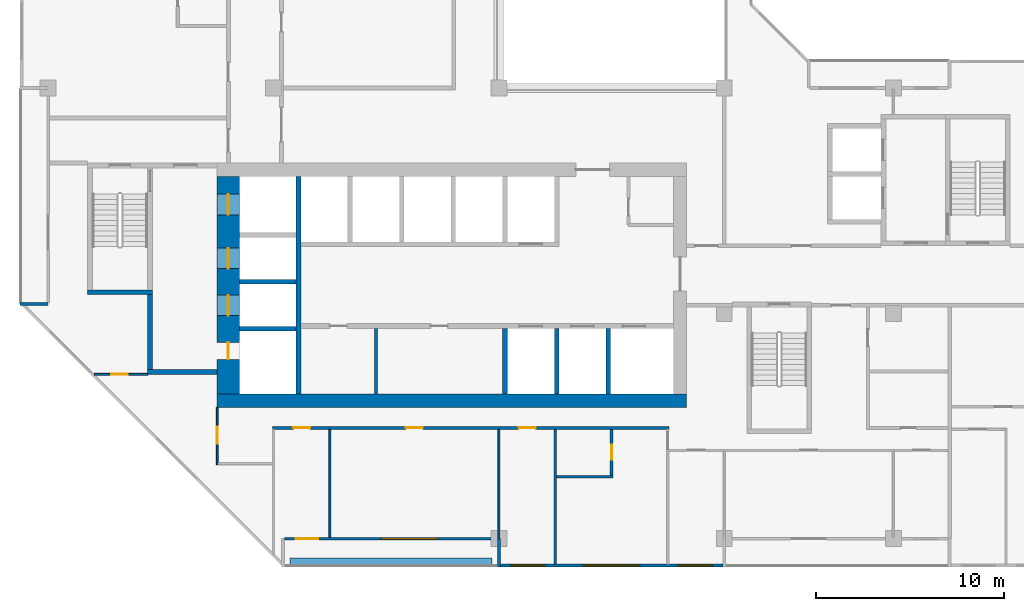
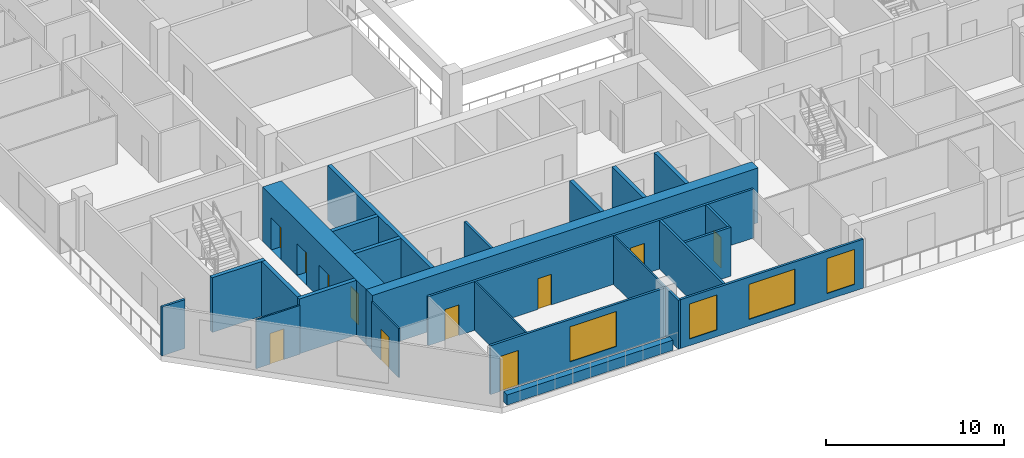
# One storey, part 4 of 15: 25 walls, 11 doors, 4 windows, 15 openings.
"""IFC4 building model written with IfcOpenShell, lengths in metres."""

from ifc_helpers import new_model, si_unit, direction, frame, frame_2d, origin, place, context, subcontext, project, spatial, rectangle, extrude, material, layer, layer_set, type_object, element, fill, save


model = new_model("IFC4")

# Units and contexts
model_context = context("Model", 3, precision=1e-05, world=origin(), true_north=direction((0.0, 1.0)))
body_context = subcontext(model_context, "Body", "Model", "MODEL_VIEW")
ifc_project = project(units=[si_unit("LENGTHUNIT", "METRE"), si_unit("AREAUNIT", "SQUARE_METRE"), si_unit("VOLUMEUNIT", "CUBIC_METRE"), si_unit("PLANEANGLEUNIT", "RADIAN"), si_unit("MASSUNIT", "GRAM", prefix="KILO")], contexts=[model_context])

# Site, building, storey
site_placement = place(None, origin())
site = spatial("IfcSite", under=ifc_project, at=site_placement, CompositionType="ELEMENT")
building_placement = place(site_placement, origin())
building = spatial("IfcBuilding", under=site, at=building_placement, Name="Chenar Terraces", CompositionType="ELEMENT")
storey_placement = place(building_placement, frame((0.0, 0.0, 215.39990234375)))
storey = spatial("IfcBuildingStorey", under=building, at=storey_placement, Name="L50", CompositionType="ELEMENT", Elevation=215.39990234375)

# Wall
ifc_material_1 = material(Name="Gypsum board on steel studs", Category="steel")
ifc_layer_1 = layer(ifc_material_1, 0.14990234375)
ifc_layer_set_1 = layer_set([ifc_layer_1], Name="Gypsum board on steel studs")
wall_type_1 = type_object("IfcWallType", Name="Core partition 150 gypsum board", PredefinedType="PARTITIONING", material=ifc_layer_set_1)
wall_1_placement = place(storey_placement, frame((17.449951171875, 7.699951171875, 0.0), z_axis=(0.0, 0.0, 1.0), x_axis=(0.0, 1.0, 0.0)))
element("IfcWall", 1, at=wall_1_placement, inside=storey, type_object=wall_type_1, Name="Core partition CP1 freed bay wall", PredefinedType="PARTITIONING", context=body_context, shape_type="SweptSolid", body=[
    extrude(rectangle(XDim=3.5, YDim=0.14990234375, at=frame_2d((1.75, 0.0))), origin(), (0.0, 0.0, 1.0), 3.35009765625),
])

# Wall, openings, doors
ifc_material_2 = material(Name="Concrete C60/75", Category="concrete")
ifc_layer_2 = layer(ifc_material_2, 1.199951171875)
ifc_layer_set_2 = layer_set([ifc_layer_2], Name="Concrete C60/75")
wall_type_2 = type_object("IfcWallType", Name="Core wall 1200 Concrete C60/75", PredefinedType="SHEAR", material=ifc_layer_set_2)
wall_2_placement = place(storey_placement, frame((9.60009765625, 7.699951171875, 0.0), z_axis=(0.0, 0.0, 1.0), x_axis=(0.0, 1.0, 0.0)))
wall_2 = element("IfcWall", 2, at=wall_2_placement, inside=storey, type_object=wall_type_2, Name="Core wall W L50", PredefinedType="SHEAR", context=body_context, shape_type="SweptSolid", body=[
    extrude(rectangle(XDim=11.60009765625, YDim=1.199951171875, at=frame_2d((5.800048828125, 0.0))), origin(), (0.0, 0.0, 1.0), 3.75),
])
opening_1_placement = place(wall_2_placement, frame((4.175048828125, 0.0, 0.0)))
opening_1 = element("IfcOpeningElement", 3, at=opening_1_placement, cuts=wall_2, Name="Opening DL50-LD5", PredefinedType="OPENING", context=body_context, shape_type="SweptSolid", body=[
    extrude(rectangle(XDim=1.10009765625, YDim=2.199951171875, at=frame_2d((0.550048828125, 1.10009765625))), frame((0.0, 0.60986328125, 0.0), z_axis=(0.0, -1.0, 0.0), x_axis=(1.0, 0.0, 0.0)), (0.0, 0.0, 1.0), 1.219970703125),
])
opening_2_placement = place(wall_2_placement, frame((6.675048828125, 0.0, 0.0)))
opening_2 = element("IfcOpeningElement", 4, at=opening_2_placement, cuts=wall_2, Name="Opening DL50-LD6", PredefinedType="OPENING", context=body_context, shape_type="SweptSolid", body=[
    extrude(rectangle(XDim=1.10009765625, YDim=2.199951171875, at=frame_2d((0.550048828125, 1.10009765625))), frame((0.0, 0.60986328125, 0.0), z_axis=(0.0, -1.0, 0.0), x_axis=(1.0, 0.0, 0.0)), (0.0, 0.0, 1.0), 1.219970703125),
])
opening_3_placement = place(wall_2_placement, frame((9.550048828125, 0.0, 0.0)))
opening_3 = element("IfcOpeningElement", 5, at=opening_3_placement, cuts=wall_2, Name="Opening DL50-LD7", PredefinedType="OPENING", context=body_context, shape_type="SweptSolid", body=[
    extrude(rectangle(XDim=1.10009765625, YDim=2.199951171875, at=frame_2d((0.550048828125, 1.10009765625))), frame((0.0, 0.60986328125, 0.0), z_axis=(0.0, -1.0, 0.0), x_axis=(1.0, 0.0, 0.0)), (0.0, 0.0, 1.0), 1.219970703125),
])
opening_4_placement = place(wall_2_placement, frame((1.85009765625, 0.0, 0.0)))
opening_4 = element("IfcOpeningElement", 6, at=opening_4_placement, cuts=wall_2, Name="Opening DL50-C4", PredefinedType="OPENING", context=body_context, shape_type="SweptSolid", body=[
    extrude(rectangle(XDim=0.89990234375, YDim=2.10009765625, at=frame_2d((0.449951171875, 1.050048828125))), frame((0.0, 0.60986328125, 0.0), z_axis=(0.0, -1.0, 0.0), x_axis=(1.0, 0.0, 0.0)), (0.0, 0.0, 1.0), 1.219970703125),
])
ifc_material_3 = material(Name="Stainless steel", Category="steel")
door_type_1 = type_object("IfcDoorType", Name="Lift landing door 1100 x 2200 sliding", OperationType="DOUBLE_DOOR_SLIDING", PredefinedType="DOOR", material=ifc_material_3)
door_1_placement = place(opening_1_placement, origin())
door_1 = element("IfcDoor", 7, at=door_1_placement, inside=storey, type_object=door_type_1, Name="Landing door S1", OperationType="DOUBLE_DOOR_SLIDING", OverallHeight=2.199951171875, OverallWidth=1.10009765625, PredefinedType="DOOR", context=body_context, shape_type="SweptSolid", body=[
    extrude(rectangle(XDim=1.10009765625, YDim=2.199951171875, at=frame_2d((0.550048828125, 1.10009765625))), frame((0.0, 0.02490234375, 0.0), z_axis=(0.0, -1.0, 0.0), x_axis=(1.0, 0.0, 0.0)), (0.0, 0.0, 1.0), 0.050048828125),
])
fill(opening_1, door_1)
door_2_placement = place(opening_2_placement, origin())
door_2 = element("IfcDoor", 8, at=door_2_placement, inside=storey, type_object=door_type_1, Name="Landing door F1", OperationType="DOUBLE_DOOR_SLIDING", OverallHeight=2.199951171875, OverallWidth=1.10009765625, PredefinedType="DOOR", context=body_context, shape_type="SweptSolid", body=[
    extrude(rectangle(XDim=1.10009765625, YDim=2.199951171875, at=frame_2d((0.550048828125, 1.10009765625))), frame((0.0, 0.02490234375, 0.0), z_axis=(0.0, -1.0, 0.0), x_axis=(1.0, 0.0, 0.0)), (0.0, 0.0, 1.0), 0.050048828125),
])
fill(opening_2, door_2)
door_3_placement = place(opening_3_placement, origin())
door_3 = element("IfcDoor", 9, at=door_3_placement, inside=storey, type_object=door_type_1, Name="Landing door F2", OperationType="DOUBLE_DOOR_SLIDING", OverallHeight=2.199951171875, OverallWidth=1.10009765625, PredefinedType="DOOR", context=body_context, shape_type="SweptSolid", body=[
    extrude(rectangle(XDim=1.10009765625, YDim=2.199951171875, at=frame_2d((0.550048828125, 1.10009765625))), frame((0.0, 0.02490234375, 0.0), z_axis=(0.0, -1.0, 0.0), x_axis=(1.0, 0.0, 0.0)), (0.0, 0.0, 1.0), 0.050048828125),
])
fill(opening_3, door_3)
ifc_material_4 = material(Name="Steel-framed fire-resisting door leaf", Category="steel")
door_type_2 = type_object("IfcDoorType", Name="Riser fire door FD60 900 x 2100", OperationType="SINGLE_SWING_LEFT", PredefinedType="DOOR", material=ifc_material_4)
door_4_placement = place(opening_4_placement, frame((0.89990234375, 0.0, 0.0), z_axis=(0.0, 0.0, 1.0), x_axis=(-1.0, 0.0, 0.0)))
door_4 = element("IfcDoor", 10, at=door_4_placement, inside=storey, type_object=door_type_2, Name="Riser door DL50-C4", OperationType="SINGLE_SWING_LEFT", OverallHeight=2.10009765625, OverallWidth=0.89990234375, PredefinedType="DOOR", context=body_context, shape_type="SweptSolid", body=[
    extrude(rectangle(XDim=0.89990234375, YDim=2.10009765625, at=frame_2d((0.449951171875, 1.050048828125))), frame((0.0, 0.02490234375, 0.0), z_axis=(0.0, -1.0, 0.0), x_axis=(1.0, 0.0, 0.0)), (0.0, 0.0, 1.0), 0.050048828125),
])
fill(opening_4, door_4)

# Walls
ifc_material_5 = material(Name="Concrete C60/75", Category="concrete")
ifc_layer_3 = layer(ifc_material_5, 0.25)
ifc_layer_set_3 = layer_set([ifc_layer_3], Name="Concrete C60/75")
wall_type_3 = type_object("IfcWallType", Name="Core wall 250 Concrete C60/75", PredefinedType="SHEAR", material=ifc_layer_set_3)
wall_3_placement = place(storey_placement, frame((13.324951171875, 7.699951171875, 0.0), z_axis=(0.0, 0.0, 1.0), x_axis=(0.0, 1.0, 0.0)))
element("IfcWall", 11, at=wall_3_placement, inside=storey, type_object=wall_type_3, Name="Core wall WI L50", PredefinedType="SHEAR", context=body_context, shape_type="SweptSolid", body=[
    extrude(rectangle(XDim=11.60009765625, YDim=0.25, at=frame_2d((5.800048828125, 0.0))), origin(), (0.0, 0.0, 1.0), 3.75),
])
for number, where, z_axis, x_axis, name in (
    (12, (10.199951171875, 11.175048828125, 0.0), (0.0, 0.0, 1.0), (1.0, 0.0, 0.0), "Core wall HW0 L50"),
    (13, (10.199951171875, 13.675048828125, 0.0), (0.0, 0.0, 1.0), (1.0, 0.0, 0.0), "Core wall HW1 L50"),
):
    element("IfcWall", number, at=place(storey_placement, frame(where, z_axis=z_axis, x_axis=x_axis)), inside=storey, type_object=wall_type_3, Name=name, PredefinedType="SHEAR", context=body_context, shape_type="SweptSolid", body=[
        extrude(rectangle(XDim=3.0, YDim=0.25, at=frame_2d((1.5, 0.0))), origin(), (0.0, 0.0, 1.0), 3.75),
    ])
for number, where, z_axis, x_axis, name in (
    (14, (24.324951171875, 7.699951171875, 0.0), (0.0, 0.0, 1.0), (0.0, 1.0, 0.0), "Core wall SS3 L50"),
    (15, (27.074951171875, 7.699951171875, 0.0), (0.0, 0.0, 1.0), (0.0, 1.0, 0.0), "Core wall SS4 L50"),
    (16, (29.824951171875, 7.699951171875, 0.0), (0.0, 0.0, 1.0), (0.0, 1.0, 0.0), "Core wall SS5 L50"),
):
    element("IfcWall", number, at=place(storey_placement, frame(where, z_axis=z_axis, x_axis=x_axis)), inside=storey, type_object=wall_type_3, Name=name, PredefinedType="SHEAR", context=body_context, shape_type="SweptSolid", body=[
        extrude(rectangle(XDim=3.5, YDim=0.25, at=frame_2d((1.75, 0.0))), origin(), (0.0, 0.0, 1.0), 3.75),
    ])
wall_4_placement = place(storey_placement, frame((2.10009765625, 13.125, 0.0), z_axis=(0.0, 0.0, 1.0), x_axis=(1.0, 0.0, 0.0)))
element("IfcWall", 17, at=wall_4_placement, inside=storey, type_object=wall_type_3, Name="Core wall ST1_S L50", PredefinedType="SHEAR", context=body_context, shape_type="SweptSolid", body=[
    extrude(rectangle(XDim=3.449951171875, YDim=0.25, at=frame_2d((1.72509765625, 0.0))), origin(), (0.0, 0.0, 1.0), 3.75),
])
wall_5_placement = place(storey_placement, frame((5.300048828125, 8.875, 0.0), z_axis=(0.0, 0.0, 1.0), x_axis=(1.0, 0.0, 0.0)))
element("IfcWall", 18, at=wall_5_placement, inside=storey, type_object=wall_type_3, Name="Core wall FFL_S L50", PredefinedType="SHEAR", context=body_context, shape_type="SweptSolid", body=[
    extrude(rectangle(XDim=3.699951171875, YDim=0.25, at=frame_2d((1.85009765625, 0.0))), origin(), (0.0, 0.0, 1.0), 3.75),
])
wall_6_placement = place(storey_placement, frame((5.425048828125, 9.0, 0.0), z_axis=(0.0, 0.0, 1.0), x_axis=(0.0, 1.0, 0.0)))
element("IfcWall", 19, at=wall_6_placement, inside=storey, type_object=wall_type_3, Name="Core wall FFL_W L50", PredefinedType="SHEAR", context=body_context, shape_type="SweptSolid", body=[
    extrude(rectangle(XDim=4.0, YDim=0.25, at=frame_2d((2.0, 0.0))), origin(), (0.0, 0.0, 1.0), 3.75),
])
ifc_material_6 = material(Name="Concrete C60/75", Category="concrete")
ifc_layer_4 = layer(ifc_material_6, 0.699951171875)
ifc_layer_set_4 = layer_set([ifc_layer_4], Name="Concrete C60/75")
wall_type_4 = type_object("IfcWallType", Name="Core wall 700 Concrete C60/75", PredefinedType="SHEAR", material=ifc_layer_set_4)
wall_7_placement = place(storey_placement, frame((9.0, 7.35009765625, 0.0), z_axis=(0.0, 0.0, 1.0), x_axis=(1.0, 0.0, 0.0)))
element("IfcWall", 20, at=wall_7_placement, inside=storey, type_object=wall_type_4, Name="Core wall S L50", PredefinedType="SHEAR", context=body_context, shape_type="SweptSolid", body=[
    extrude(rectangle(XDim=25.0, YDim=0.699951171875, at=frame_2d((12.5, 0.0))), origin(), (0.0, 0.0, 1.0), 3.75),
])

# Wall, openings, windows
ifc_material_7 = material(Name="Aluminium framed glazing", Category="aluminium")
ifc_layer_5 = layer(ifc_material_7, 0.14990234375)
ifc_layer_set_5 = layer_set([ifc_layer_5], Name="Aluminium framed glazing")
wall_type_5 = type_object("IfcWallType", Name="Glazed flush facade wall 150", PredefinedType="SOLIDWALL", material=ifc_layer_set_5)
wall_8_placement = place(storey_placement, frame((24.074951171875, -1.425048828125, 0.0), z_axis=(0.0, 0.0, 1.0), x_axis=(1.0, 0.0, 0.0)))
wall_8 = element("IfcWall", 21, at=wall_8_placement, inside=storey, type_object=wall_type_5, Name="Glazed flush facade wall", PredefinedType="SOLIDWALL", context=body_context, shape_type="SweptSolid", body=[
    extrude(rectangle(XDim=11.85009765625, YDim=0.14990234375, at=frame_2d((5.925048828125, 0.0))), origin(), (0.0, 0.0, 1.0), 3.35009765625),
])
opening_5_placement = place(wall_8_placement, frame((0.5625, 0.0, 0.449951171875)))
opening_5 = element("IfcOpeningElement", 22, at=opening_5_placement, cuts=wall_8, Name="Opening W180x240", PredefinedType="OPENING", context=body_context, shape_type="SweptSolid", body=[
    extrude(rectangle(XDim=1.800048828125, YDim=2.39990234375, at=frame_2d((0.89990234375, 1.199951171875))), frame((0.0, 0.0849609375, 0.0), z_axis=(0.0, -1.0, 0.0), x_axis=(1.0, 0.0, 0.0)), (0.0, 0.0, 1.0), 0.169921875),
])
opening_6_placement = place(wall_8_placement, frame((4.425048828125, 0.0, 0.449951171875)))
opening_6 = element("IfcOpeningElement", 23, at=opening_6_placement, cuts=wall_8, Name="Opening W300x240", PredefinedType="OPENING", context=body_context, shape_type="SweptSolid", body=[
    extrude(rectangle(XDim=3.0, YDim=2.39990234375, at=frame_2d((1.5, 1.199951171875))), frame((0.0, 0.0849609375, 0.0), z_axis=(0.0, -1.0, 0.0), x_axis=(1.0, 0.0, 0.0)), (0.0, 0.0, 1.0), 0.169921875),
])
opening_7_placement = place(wall_8_placement, frame((9.487548828125, 0.0, 0.449951171875)))
opening_7 = element("IfcOpeningElement", 24, at=opening_7_placement, cuts=wall_8, Name="Opening W180x240", PredefinedType="OPENING", context=body_context, shape_type="SweptSolid", body=[
    extrude(rectangle(XDim=1.800048828125, YDim=2.39990234375, at=frame_2d((0.89990234375, 1.199951171875))), frame((0.0, 0.0849609375, 0.0), z_axis=(0.0, -1.0, 0.0), x_axis=(1.0, 0.0, 0.0)), (0.0, 0.0, 1.0), 0.169921875),
])
ifc_material_8 = material(Name="Low emissivity double glazing, aluminium frame", Category="aluminium")
window_type_1 = type_object("IfcWindowType", Name="Fixed light 1800 x 2400", PartitioningType="SINGLE_PANEL", PredefinedType="WINDOW", material=ifc_material_8)
window_1_placement = place(opening_5_placement, origin())
window_1 = element("IfcWindow", 25, at=window_1_placement, inside=storey, type_object=window_type_1, Name="Window", OverallHeight=2.39990234375, OverallWidth=1.800048828125, PartitioningType="SINGLE_PANEL", PredefinedType="WINDOW", context=body_context, shape_type="SweptSolid", body=[
    extrude(rectangle(XDim=1.800048828125, YDim=2.39990234375, at=frame_2d((0.89990234375, 1.199951171875))), frame((0.0, 0.030029296875, 0.0), z_axis=(0.0, -1.0, 0.0), x_axis=(1.0, 0.0, 0.0)), (0.0, 0.0, 1.0), 0.06005859375),
])
fill(opening_5, window_1)
window_2_placement = place(opening_7_placement, origin())
window_2 = element("IfcWindow", 26, at=window_2_placement, inside=storey, type_object=window_type_1, Name="Window", OverallHeight=2.39990234375, OverallWidth=1.800048828125, PartitioningType="SINGLE_PANEL", PredefinedType="WINDOW", context=body_context, shape_type="SweptSolid", body=[
    extrude(rectangle(XDim=1.800048828125, YDim=2.39990234375, at=frame_2d((0.89990234375, 1.199951171875))), frame((0.0, 0.030029296875, 0.0), z_axis=(0.0, -1.0, 0.0), x_axis=(1.0, 0.0, 0.0)), (0.0, 0.0, 1.0), 0.06005859375),
])
fill(opening_7, window_2)
ifc_material_9 = material(Name="Low emissivity double glazing, aluminium frame", Category="aluminium")
window_type_2 = type_object("IfcWindowType", Name="Fixed light 3000 x 2400", PartitioningType="SINGLE_PANEL", PredefinedType="WINDOW", material=ifc_material_9)
window_3_placement = place(opening_6_placement, origin())
window_3 = element("IfcWindow", 27, at=window_3_placement, inside=storey, type_object=window_type_2, Name="Window", OverallHeight=2.39990234375, OverallWidth=3.0, PartitioningType="SINGLE_PANEL", PredefinedType="WINDOW", context=body_context, shape_type="SweptSolid", body=[
    extrude(rectangle(XDim=3.0, YDim=2.39990234375, at=frame_2d((1.5, 1.199951171875))), frame((0.0, 0.030029296875, 0.0), z_axis=(0.0, -1.0, 0.0), x_axis=(1.0, 0.0, 0.0)), (0.0, 0.0, 1.0), 0.06005859375),
])
fill(opening_6, window_3)

# Wall, openings, window, door
ifc_material_10 = material(Name="Aluminium framed glazing", Category="aluminium")
ifc_layer_6 = layer(ifc_material_10, 0.14990234375)
ifc_layer_set_6 = layer_set([ifc_layer_6], Name="Aluminium framed glazing")
wall_type_6 = type_object("IfcWallType", Name="Glazed loggia back wall 150", PredefinedType="SOLIDWALL", material=ifc_layer_set_6)
wall_9_placement = place(storey_placement, frame((12.574951171875, 0.0, 0.0), z_axis=(0.0, 0.0, 1.0), x_axis=(1.0, 0.0, 0.0)))
wall_9 = element("IfcWall", 28, at=wall_9_placement, inside=storey, type_object=wall_type_6, Name="Glazed loggia back wall", PredefinedType="SOLIDWALL", context=body_context, shape_type="SweptSolid", body=[
    extrude(rectangle(XDim=11.35009765625, YDim=0.14990234375, at=frame_2d((5.675048828125, 0.0))), origin(), (0.0, 0.0, 1.0), 3.35009765625),
])
opening_8_placement = place(wall_9_placement, frame((0.612548828125, 0.0, 0.0)))
opening_8 = element("IfcOpeningElement", 29, at=opening_8_placement, cuts=wall_9, Name="Opening DL50-G5", PredefinedType="OPENING", context=body_context, shape_type="SweptSolid", body=[
    extrude(rectangle(XDim=1.199951171875, YDim=2.39990234375, at=frame_2d((0.60009765625, 1.199951171875))), frame((0.0, 0.0849609375, 0.0), z_axis=(0.0, -1.0, 0.0), x_axis=(1.0, 0.0, 0.0)), (0.0, 0.0, 1.0), 0.169921875),
])
opening_9_placement = place(wall_9_placement, frame((5.16259765625, 0.0, 0.449951171875)))
opening_9 = element("IfcOpeningElement", 30, at=opening_9_placement, cuts=wall_9, Name="Opening W300x240", PredefinedType="OPENING", context=body_context, shape_type="SweptSolid", body=[
    extrude(rectangle(XDim=3.0, YDim=2.39990234375, at=frame_2d((1.5, 1.199951171875))), frame((0.0, 0.0849609375, 0.0), z_axis=(0.0, -1.0, 0.0), x_axis=(1.0, 0.0, 0.0)), (0.0, 0.0, 1.0), 0.169921875),
])
window_4_placement = place(opening_9_placement, origin())
window_4 = element("IfcWindow", 31, at=window_4_placement, inside=storey, type_object=window_type_2, Name="Window", OverallHeight=2.39990234375, OverallWidth=3.0, PartitioningType="SINGLE_PANEL", PredefinedType="WINDOW", context=body_context, shape_type="SweptSolid", body=[
    extrude(rectangle(XDim=3.0, YDim=2.39990234375, at=frame_2d((1.5, 1.199951171875))), frame((0.0, 0.030029296875, 0.0), z_axis=(0.0, -1.0, 0.0), x_axis=(1.0, 0.0, 0.0)), (0.0, 0.0, 1.0), 0.06005859375),
])
fill(opening_9, window_4)
ifc_material_11 = material(Name="Low emissivity double glazing, aluminium frame", Category="aluminium")
door_type_3 = type_object("IfcDoorType", Name="Loggia glazed double door 1200 x 2400", OperationType="DOUBLE_DOOR_SINGLE_SWING", PredefinedType="DOOR", material=ifc_material_11)
door_5_placement = place(opening_8_placement, frame((1.199951171875, 0.0, 0.0), z_axis=(0.0, 0.0, 1.0), x_axis=(-1.0, 0.0, 0.0)))
door_5 = element("IfcDoor", 32, at=door_5_placement, inside=storey, type_object=door_type_3, Name="Loggia glazed door", OperationType="DOUBLE_DOOR_SINGLE_SWING", OverallHeight=2.39990234375, OverallWidth=1.199951171875, PredefinedType="DOOR", context=body_context, shape_type="SweptSolid", body=[
    extrude(rectangle(XDim=1.199951171875, YDim=2.39990234375, at=frame_2d((0.60009765625, 1.199951171875))), frame((0.0, 0.02490234375, 0.0), z_axis=(0.0, -1.0, 0.0), x_axis=(1.0, 0.0, 0.0)), (0.0, 0.0, 1.0), 0.050048828125),
])
fill(opening_8, door_5)

# Wall, opening, door
ifc_material_12 = material(Name="Gypsum board on steel studs", Category="steel")
ifc_layer_7 = layer(ifc_material_12, 0.10009765625)
ifc_layer_set_7 = layer_set([ifc_layer_7], Name="Gypsum board on steel studs")
wall_type_7 = type_object("IfcWallType", Name="Gypsum partition 100", PredefinedType="PARTITIONING", material=ifc_layer_set_7)
wall_10_placement = place(storey_placement, frame((2.4609375, 8.75, 0.0), z_axis=(0.0, 0.0, 1.0), x_axis=(1.0, 0.0, 0.0)))
wall_10 = element("IfcWall", 33, at=wall_10_placement, inside=storey, type_object=wall_type_7, Name="Partition L50-012", PredefinedType="PARTITIONING", context=body_context, shape_type="SweptSolid", body=[
    extrude(rectangle(XDim=2.839111328125, YDim=0.10009765625, at=frame_2d((1.41943359375, 0.0))), origin(), (0.0, 0.0, 1.0), 3.35009765625),
])
opening_10_placement = place(wall_10_placement, frame((0.888916015625, 0.0, 0.0)))
opening_10 = element("IfcOpeningElement", 34, at=opening_10_placement, cuts=wall_10, Name="Opening DL50-50", PredefinedType="OPENING", context=body_context, shape_type="SweptSolid", body=[
    extrude(rectangle(XDim=0.89990234375, YDim=2.10009765625, at=frame_2d((0.449951171875, 1.050048828125))), frame((0.0, 0.06005859375, 0.0), z_axis=(0.0, -1.0, 0.0), x_axis=(1.0, 0.0, 0.0)), (0.0, 0.0, 1.0), 0.1201171875),
])
ifc_material_13 = material(Name="Veneered timber door leaf", Category="wood")
door_type_4 = type_object("IfcDoorType", Name="Door 900 x 2100", OperationType="SINGLE_SWING_LEFT", PredefinedType="DOOR", material=ifc_material_13)
door_6_placement = place(opening_10_placement, frame((0.89990234375, 0.0, 0.0), z_axis=(0.0, 0.0, 1.0), x_axis=(-1.0, 0.0, 0.0)))
door_6 = element("IfcDoor", 35, at=door_6_placement, inside=storey, type_object=door_type_4, Name="Door DL50-50", OperationType="SINGLE_SWING_RIGHT", OverallHeight=2.10009765625, OverallWidth=0.89990234375, PredefinedType="DOOR", context=body_context, shape_type="SweptSolid", body=[
    extrude(rectangle(XDim=0.89990234375, YDim=2.10009765625, at=frame_2d((0.449951171875, 1.050048828125))), frame((0.0, 0.02490234375, 0.0), z_axis=(0.0, -1.0, 0.0), x_axis=(1.0, 0.0, 0.0)), (0.0, 0.0, 1.0), 0.050048828125),
])
fill(opening_10, door_6)

wall_11_placement = place(storey_placement, frame((9.0, 3.949951171875, 0.0), z_axis=(0.0, 0.0, 1.0), x_axis=(0.0, 1.0, 0.0)))
wall_11 = element("IfcWall", 36, at=wall_11_placement, inside=storey, type_object=wall_type_7, Name="Partition L50-028", PredefinedType="PARTITIONING", context=body_context, shape_type="SweptSolid", body=[
    extrude(rectangle(XDim=3.050048828125, YDim=0.10009765625, at=frame_2d((1.52490234375, 0.0))), origin(), (0.0, 0.0, 1.0), 3.35009765625),
])
opening_11_placement = place(wall_11_placement, frame((1.10009765625, 0.0, 0.0)))
opening_11 = element("IfcOpeningElement", 37, at=opening_11_placement, cuts=wall_11, Name="Opening DL50-49", PredefinedType="OPENING", context=body_context, shape_type="SweptSolid", body=[
    extrude(rectangle(XDim=0.89990234375, YDim=2.10009765625, at=frame_2d((0.449951171875, 1.050048828125))), frame((0.0, 0.06005859375, 0.0), z_axis=(0.0, -1.0, 0.0), x_axis=(1.0, 0.0, 0.0)), (0.0, 0.0, 1.0), 0.1201171875),
])
door_7_placement = place(opening_11_placement, origin())
door_7 = element("IfcDoor", 38, at=door_7_placement, inside=storey, type_object=door_type_4, Name="Door DL50-49", OperationType="SINGLE_SWING_LEFT", OverallHeight=2.10009765625, OverallWidth=0.89990234375, PredefinedType="DOOR", context=body_context, shape_type="SweptSolid", body=[
    extrude(rectangle(XDim=0.89990234375, YDim=2.10009765625, at=frame_2d((0.449951171875, 1.050048828125))), frame((0.0, 0.02490234375, 0.0), z_axis=(0.0, -1.0, 0.0), x_axis=(1.0, 0.0, 0.0)), (0.0, 0.0, 1.0), 0.050048828125),
])
fill(opening_11, door_7)

# Walls
wall_12_placement = place(storey_placement, frame((15.0, 0.073974609375, 0.0), z_axis=(0.0, 0.0, 1.0), x_axis=(0.0, 1.0, 0.0)))
element("IfcWall", 39, at=wall_12_placement, inside=storey, type_object=wall_type_7, Name="Partition L50-043", PredefinedType="PARTITIONING", context=body_context, shape_type="SweptSolid", body=[
    extrude(rectangle(XDim=5.7509765625, YDim=0.10009765625, at=frame_2d((2.87548828125, 0.0))), origin(), (0.0, 0.0, 1.0), 3.35009765625),
])
wall_13_placement = place(storey_placement, frame((24.0, 0.0, 0.0), z_axis=(0.0, 0.0, 1.0), x_axis=(0.0, 1.0, 0.0)))
element("IfcWall", 40, at=wall_13_placement, inside=storey, type_object=wall_type_7, Name="Partition L50-053", PredefinedType="PARTITIONING", context=body_context, shape_type="SweptSolid", body=[
    extrude(rectangle(XDim=5.824951171875, YDim=0.10009765625, at=frame_2d((2.91259765625, 0.0))), origin(), (0.0, 0.0, 1.0), 3.35009765625),
])
ifc_material_14 = material(Name="Terracotta cladding on insulated backing", Category="masonry")
ifc_layer_8 = layer(ifc_material_14, 0.14990234375)
ifc_layer_set_8 = layer_set([ifc_layer_8], Name="Terracotta cladding on insulated backing")
wall_type_8 = type_object("IfcWallType", Name="Loggia return wall 150", PredefinedType="SOLIDWALL", material=ifc_layer_set_8)
for number, where, z_axis, x_axis, name in (
    (41, (-1.5, 12.5, 0.0), (0.0, 0.0, 1.0), (1.0, 0.0, 0.0), "Loggia return wall"),
    (42, (24.0, -1.5, 0.0), (0.0, 0.0, 1.0), (0.0, 1.0, 0.0), "Loggia return wall"),
):
    element("IfcWall", number, at=place(storey_placement, frame(where, z_axis=z_axis, x_axis=x_axis)), inside=storey, type_object=wall_type_8, Name=name, PredefinedType="SOLIDWALL", context=body_context, shape_type="SweptSolid", body=[
        extrude(rectangle(XDim=1.5, YDim=0.14990234375, at=frame_2d((0.75, 0.0))), origin(), (0.0, 0.0, 1.0), 3.35009765625),
    ])
ifc_material_15 = material(Name="GRP planter trough")
ifc_layer_9 = layer(ifc_material_15, 0.39990234375)
ifc_layer_set_9 = layer_set([ifc_layer_9], Name="GRP planter trough")
wall_type_9 = type_object("IfcWallType", Name="Vertical greenery planter 400", PredefinedType="SOLIDWALL", material=ifc_layer_set_9)
wall_14_placement = place(storey_placement, frame((12.875, -1.22900390625, 0.0), z_axis=(0.0, 0.0, 1.0), x_axis=(1.0, 0.0, 0.0)))
element("IfcWall", 43, at=wall_14_placement, inside=storey, type_object=wall_type_9, Name="Vertical greenery planter", PredefinedType="SOLIDWALL", context=body_context, shape_type="SweptSolid", body=[
    extrude(rectangle(XDim=10.75, YDim=0.39990234375, at=frame_2d((5.375, 0.0))), origin(), (0.0, 0.0, 1.0), 0.7001953125),
])

# Wall, openings, doors
ifc_material_16 = material(Name="Moisture-resistant gypsum board on steel studs", Category="steel")
ifc_layer_10 = layer(ifc_material_16, 0.14990234375)
ifc_layer_set_10 = layer_set([ifc_layer_10], Name="Moisture-resistant gypsum board on steel studs")
wall_type_10 = type_object("IfcWallType", Name="Wet-room partition 150", PredefinedType="PARTITIONING", material=ifc_layer_set_10)
wall_15_placement = place(storey_placement, frame((11.949951171875, 5.89990234375, 0.0), z_axis=(0.0, 0.0, 1.0), x_axis=(1.0, 0.0, 0.0)))
wall_15 = element("IfcWall", 44, at=wall_15_placement, inside=storey, type_object=wall_type_10, Name="Partition L50-031", PredefinedType="PARTITIONING", context=body_context, shape_type="SweptSolid", body=[
    extrude(rectangle(XDim=21.10009765625, YDim=0.14990234375, at=frame_2d((10.550048828125, 0.0))), origin(), (0.0, 0.0, 1.0), 3.35009765625),
])
opening_12_placement = place(wall_15_placement, frame((1.10009765625, 0.0, 0.0)))
opening_12 = element("IfcOpeningElement", 45, at=opening_12_placement, cuts=wall_15, Name="Opening DL50-45", PredefinedType="OPENING", context=body_context, shape_type="SweptSolid", body=[
    extrude(rectangle(XDim=0.89990234375, YDim=2.10009765625, at=frame_2d((0.449951171875, 1.050048828125))), frame((0.0, 0.0849609375, 0.0), z_axis=(0.0, -1.0, 0.0), x_axis=(1.0, 0.0, 0.0)), (0.0, 0.0, 1.0), 0.169921875),
])
opening_13_placement = place(wall_15_placement, frame((13.10009765625, 0.0, 0.0)))
opening_13 = element("IfcOpeningElement", 46, at=opening_13_placement, cuts=wall_15, Name="Opening DL50-46", PredefinedType="OPENING", context=body_context, shape_type="SweptSolid", body=[
    extrude(rectangle(XDim=0.89990234375, YDim=2.10009765625, at=frame_2d((0.449951171875, 1.050048828125))), frame((0.0, 0.0849609375, 0.0), z_axis=(0.0, -1.0, 0.0), x_axis=(1.0, 0.0, 0.0)), (0.0, 0.0, 1.0), 0.169921875),
])
opening_14_placement = place(wall_15_placement, frame((7.10009765625, 0.0, 0.0)))
opening_14 = element("IfcOpeningElement", 47, at=opening_14_placement, cuts=wall_15, Name="Opening DL50-55", PredefinedType="OPENING", context=body_context, shape_type="SweptSolid", body=[
    extrude(rectangle(XDim=0.89990234375, YDim=2.10009765625, at=frame_2d((0.449951171875, 1.050048828125))), frame((0.0, 0.0849609375, 0.0), z_axis=(0.0, -1.0, 0.0), x_axis=(1.0, 0.0, 0.0)), (0.0, 0.0, 1.0), 0.169921875),
])
door_8_placement = place(opening_12_placement, frame((0.89990234375, 0.0, 0.0), z_axis=(0.0, 0.0, 1.0), x_axis=(-1.0, 0.0, 0.0)))
door_8 = element("IfcDoor", 48, at=door_8_placement, inside=storey, type_object=door_type_4, Name="Door DL50-45", OperationType="SINGLE_SWING_RIGHT", OverallHeight=2.10009765625, OverallWidth=0.89990234375, PredefinedType="DOOR", context=body_context, shape_type="SweptSolid", body=[
    extrude(rectangle(XDim=0.89990234375, YDim=2.10009765625, at=frame_2d((0.449951171875, 1.050048828125))), frame((0.0, 0.02490234375, 0.0), z_axis=(0.0, -1.0, 0.0), x_axis=(1.0, 0.0, 0.0)), (0.0, 0.0, 1.0), 0.050048828125),
])
fill(opening_12, door_8)
door_9_placement = place(opening_13_placement, frame((0.89990234375, 0.0, 0.0), z_axis=(0.0, 0.0, 1.0), x_axis=(-1.0, 0.0, 0.0)))
door_9 = element("IfcDoor", 49, at=door_9_placement, inside=storey, type_object=door_type_4, Name="Door DL50-46", OperationType="SINGLE_SWING_RIGHT", OverallHeight=2.10009765625, OverallWidth=0.89990234375, PredefinedType="DOOR", context=body_context, shape_type="SweptSolid", body=[
    extrude(rectangle(XDim=0.89990234375, YDim=2.10009765625, at=frame_2d((0.449951171875, 1.050048828125))), frame((0.0, 0.02490234375, 0.0), z_axis=(0.0, -1.0, 0.0), x_axis=(1.0, 0.0, 0.0)), (0.0, 0.0, 1.0), 0.050048828125),
])
fill(opening_13, door_9)
door_10_placement = place(opening_14_placement, frame((0.89990234375, 0.0, 0.0), z_axis=(0.0, 0.0, 1.0), x_axis=(-1.0, 0.0, 0.0)))
door_10 = element("IfcDoor", 50, at=door_10_placement, inside=storey, type_object=door_type_4, Name="Door DL50-55", OperationType="SINGLE_SWING_RIGHT", OverallHeight=2.10009765625, OverallWidth=0.89990234375, PredefinedType="DOOR", context=body_context, shape_type="SweptSolid", body=[
    extrude(rectangle(XDim=0.89990234375, YDim=2.10009765625, at=frame_2d((0.449951171875, 1.050048828125))), frame((0.0, 0.02490234375, 0.0), z_axis=(0.0, -1.0, 0.0), x_axis=(1.0, 0.0, 0.0)), (0.0, 0.0, 1.0), 0.050048828125),
])
fill(opening_14, door_10)

# Walls
wall_16_placement = place(storey_placement, frame((27.0, -1.35107421875, 0.0), z_axis=(0.0, 0.0, 1.0), x_axis=(0.0, 1.0, 0.0)))
element("IfcWall", 51, at=wall_16_placement, inside=storey, type_object=wall_type_10, Name="Partition L50-054", PredefinedType="PARTITIONING", context=body_context, shape_type="SweptSolid", body=[
    extrude(rectangle(XDim=7.176025390625, YDim=0.14990234375, at=frame_2d((3.587890625, 0.0))), origin(), (0.0, 0.0, 1.0), 3.35009765625),
])
wall_17_placement = place(storey_placement, frame((27.074951171875, 3.300048828125, 0.0), z_axis=(0.0, 0.0, 1.0), x_axis=(1.0, 0.0, 0.0)))
element("IfcWall", 52, at=wall_17_placement, inside=storey, type_object=wall_type_10, Name="Partition L50-055", PredefinedType="PARTITIONING", context=body_context, shape_type="SweptSolid", body=[
    extrude(rectangle(XDim=3.0, YDim=0.14990234375, at=frame_2d((1.5, 0.0))), origin(), (0.0, 0.0, 1.0), 3.35009765625),
])

# Wall, opening, door
wall_18_placement = place(storey_placement, frame((30.0, 3.375, 0.0), z_axis=(0.0, 0.0, 1.0), x_axis=(0.0, 1.0, 0.0)))
wall_18 = element("IfcWall", 53, at=wall_18_placement, inside=storey, type_object=wall_type_10, Name="Partition L50-056", PredefinedType="PARTITIONING", context=body_context, shape_type="SweptSolid", body=[
    extrude(rectangle(XDim=2.449951171875, YDim=0.14990234375, at=frame_2d((1.22509765625, 0.0))), origin(), (0.0, 0.0, 1.0), 3.35009765625),
])
opening_15_placement = place(wall_18_placement, frame((0.824951171875, 0.0, 0.0)))
opening_15 = element("IfcOpeningElement", 54, at=opening_15_placement, cuts=wall_18, Name="Opening DL50-52", PredefinedType="OPENING", context=body_context, shape_type="SweptSolid", body=[
    extrude(rectangle(XDim=0.800048828125, YDim=2.10009765625, at=frame_2d((0.39990234375, 1.050048828125))), frame((0.0, 0.0849609375, 0.0), z_axis=(0.0, -1.0, 0.0), x_axis=(1.0, 0.0, 0.0)), (0.0, 0.0, 1.0), 0.169921875),
])
ifc_material_17 = material(Name="Veneered timber door leaf", Category="wood")
door_type_5 = type_object("IfcDoorType", Name="Door 800 x 2100", OperationType="SINGLE_SWING_LEFT", PredefinedType="DOOR", material=ifc_material_17)
door_11_placement = place(opening_15_placement, origin())
door_11 = element("IfcDoor", 55, at=door_11_placement, inside=storey, type_object=door_type_5, Name="Door DL50-52", OperationType="SINGLE_SWING_RIGHT", OverallHeight=2.10009765625, OverallWidth=0.800048828125, PredefinedType="DOOR", context=body_context, shape_type="SweptSolid", body=[
    extrude(rectangle(XDim=0.800048828125, YDim=2.10009765625, at=frame_2d((0.39990234375, 1.050048828125))), frame((0.0, 0.02490234375, 0.0), z_axis=(0.0, -1.0, 0.0), x_axis=(1.0, 0.0, 0.0)), (0.0, 0.0, 1.0), 0.050048828125),
])
fill(opening_15, door_11)

save(model, "model.ifc")
